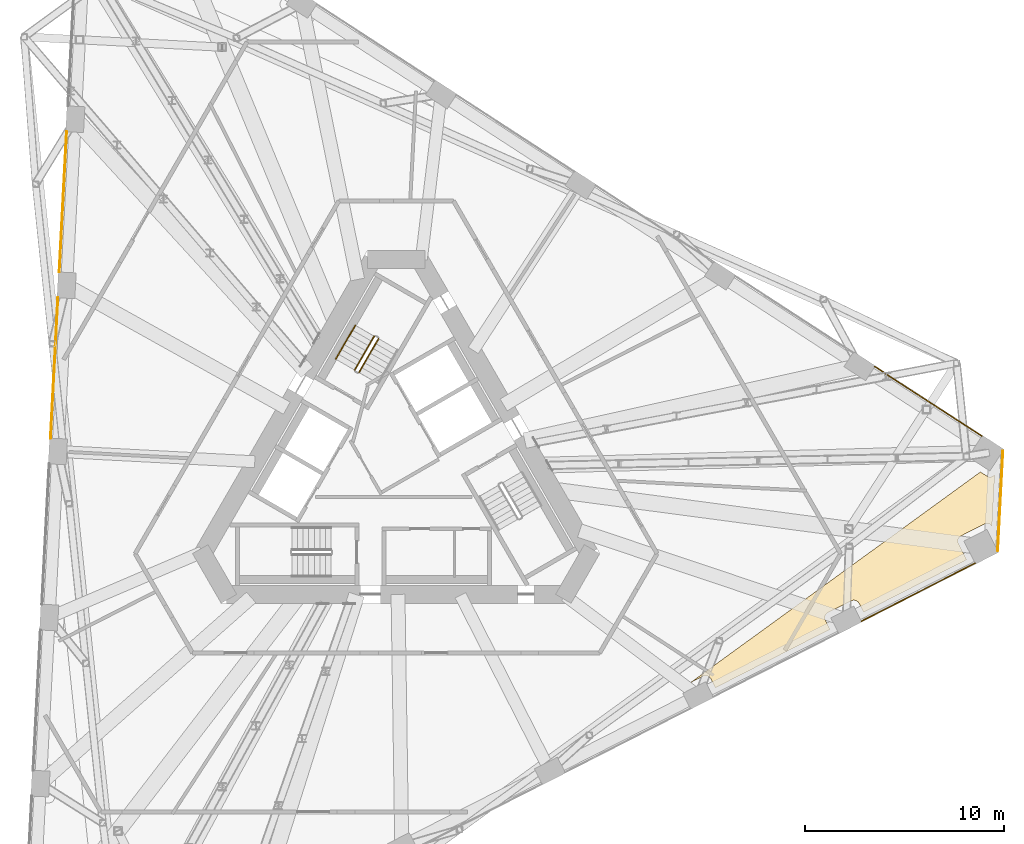
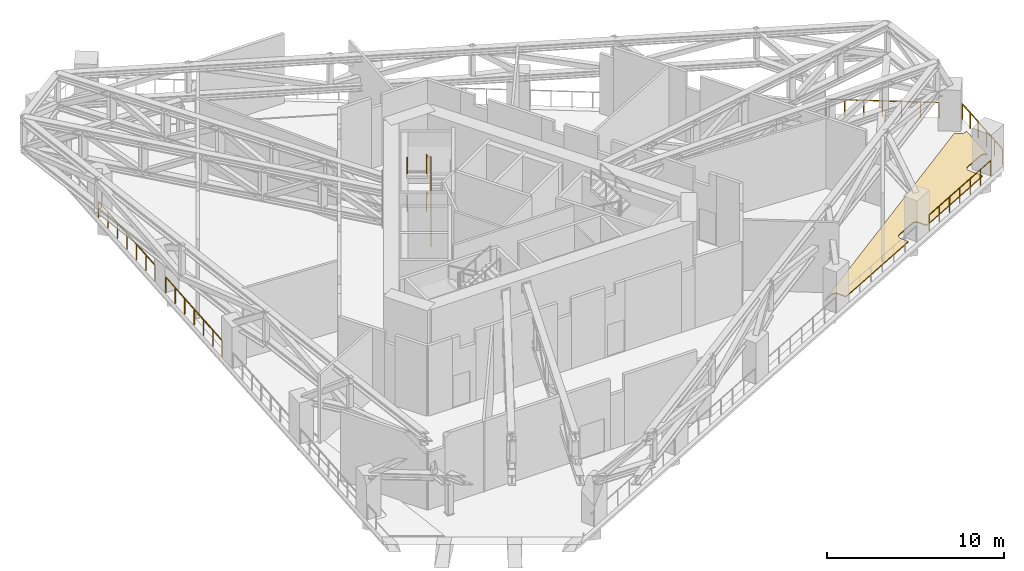
# One storey, part 24 of 26: 11 railings, 2 coverings.
"""IFC4 building model written with IfcOpenShell, lengths in metres."""

from ifc_helpers import new_model, si_unit, direction, frame, origin, origin_2d, place, context, subcontext, project, spatial, polyline, circle, outline, extrude, material, layer, layer_set, type_object, element, save


model = new_model("IFC4")

# Units and contexts
model_context = context("Model", 3, precision=1e-05, world=origin(), true_north=direction((0.0, 1.0)))
body_context = subcontext(model_context, "Body", "Model", "MODEL_VIEW")
ifc_project = project(units=[si_unit("LENGTHUNIT", "METRE"), si_unit("AREAUNIT", "SQUARE_METRE"), si_unit("VOLUMEUNIT", "CUBIC_METRE"), si_unit("PLANEANGLEUNIT", "RADIAN"), si_unit("MASSUNIT", "GRAM", prefix="KILO")], contexts=[model_context])

# Site, building, storey
site_placement = place(None, origin())
site = spatial("IfcSite", under=ifc_project, at=site_placement, CompositionType="ELEMENT")
building_placement = place(site_placement, origin())
building = spatial("IfcBuilding", under=site, at=building_placement, Name="Tramontana Tower", CompositionType="ELEMENT")
storey_placement = place(building_placement, frame((0.0, 0.0, 157.60009765625)))
storey = spatial("IfcBuildingStorey", under=building, at=storey_placement, Name="L36", CompositionType="ELEMENT", Elevation=157.60009765625)

# Railings
ifc_material_1 = material(Name="Stainless steel rail and posts", Category="steel")
railing_type_1 = type_object("IfcRailingType", Name="GD2 Terrace guard 1100", PredefinedType="GUARDRAIL", material=ifc_material_1)
for number, where, name in (
    (1, (-17.02197265625, 8.624267578125, 0.0), "Edge guard L36 5"),
    (2, (-16.583740234375, 16.984375, 0.0), "Edge guard L36 6"),
):
    element("IfcRailing", number, at=place(storey_placement, frame(where)), inside=storey, type_object=railing_type_1, Name=name, PredefinedType="GUARDRAIL", context=body_context, shape_type="SweptSolid", body=[
        extrude(circle(Radius=0.02392578125, at=origin_2d()), frame((0.0, 0.0, 1.076171875), z_axis=(-0.052337766399, -0.998629439887, 0.0), x_axis=(0.998629439887, -0.052337766399, 0.0)), (0.0, 0.0, 1.0), 7.07177734375),
        extrude(circle(Radius=0.02099609375, at=origin_2d()), origin(), (0.0, 0.0, 1.0), 1.052001953125),
        extrude(circle(Radius=0.02099609375, at=origin_2d()), frame((-0.061767578125, -1.177001953125, 0.0)), (0.0, 0.0, 1.0), 1.052001953125),
        extrude(circle(Radius=0.02099609375, at=origin_2d()), frame((-0.123291015625, -2.35400390625, 0.0)), (0.0, 0.0, 1.0), 1.052001953125),
        extrude(circle(Radius=0.02099609375, at=origin_2d()), frame((-0.18505859375, -3.531005859375, 0.0)), (0.0, 0.0, 1.0), 1.052001953125),
        extrude(circle(Radius=0.02099609375, at=origin_2d()), frame((-0.246826171875, -4.7080078125, 0.0)), (0.0, 0.0, 1.0), 1.052001953125),
        extrude(circle(Radius=0.02099609375, at=origin_2d()), frame((-0.308349609375, -5.885009765625, 0.0)), (0.0, 0.0, 1.0), 1.052001953125),
        extrude(circle(Radius=0.02099609375, at=origin_2d()), frame((-0.3701171875, -7.06201171875, 0.0)), (0.0, 0.0, 1.0), 1.052001953125),
    ])
railing_1_placement = place(storey_placement, frame((23.41943359375, -7.65185546875, 0.0)))
element("IfcRailing", 3, at=railing_1_placement, inside=storey, type_object=railing_type_1, Name="Edge guard L36 19", PredefinedType="GUARDRAIL", context=body_context, shape_type="SweptSolid", body=[
    extrude(circle(Radius=0.02392578125, at=origin_2d()), frame((0.0, 0.0, 1.076171875), z_axis=(0.89099481201, 0.454013485451, 0.0), x_axis=(-0.454013485451, 0.89099481201, 0.0)), (0.0, 0.0, 1.0), 6.421630859375),
    extrude(circle(Radius=0.02099609375, at=origin_2d()), origin(), (0.0, 0.0, 1.0), 1.052001953125),
    extrude(circle(Radius=0.02099609375, at=origin_2d()), frame((0.95361328125, 0.48583984375, 0.0)), (0.0, 0.0, 1.0), 1.052001953125),
    extrude(circle(Radius=0.02099609375, at=origin_2d()), frame((1.9072265625, 0.971923828125, 0.0)), (0.0, 0.0, 1.0), 1.052001953125),
    extrude(circle(Radius=0.02099609375, at=origin_2d()), frame((2.86083984375, 1.457763671875, 0.0)), (0.0, 0.0, 1.0), 1.052001953125),
    extrude(circle(Radius=0.02099609375, at=origin_2d()), frame((3.814453125, 1.943603515625, 0.0)), (0.0, 0.0, 1.0), 1.052001953125),
    extrude(circle(Radius=0.02099609375, at=origin_2d()), frame((4.76806640625, 2.4296875, 0.0)), (0.0, 0.0, 1.0), 1.052001953125),
    extrude(circle(Radius=0.02099609375, at=origin_2d()), frame((5.7216796875, 2.91552734375, 0.0)), (0.0, 0.0, 1.0), 1.052001953125),
])
railing_2_placement = place(storey_placement, frame((29.4765625, 1.664306640625, 0.0)))
element("IfcRailing", 4, at=railing_2_placement, inside=storey, type_object=railing_type_1, Name="Edge guard L36 20", PredefinedType="GUARDRAIL", context=body_context, shape_type="SweptSolid", body=[
    extrude(circle(Radius=0.02392578125, at=origin_2d()), frame((0.0, 0.0, 1.076171875), z_axis=(-0.83865810066, 0.54465823247, 0.0), x_axis=(-0.54465823247, -0.83865810066, 0.0)), (0.0, 0.0, 1.0), 6.421630859375),
    extrude(circle(Radius=0.02099609375, at=origin_2d()), origin(), (0.0, 0.0, 1.0), 1.052001953125),
    extrude(circle(Radius=0.02099609375, at=origin_2d()), frame((-0.8974609375, 0.5830078125, 0.0)), (0.0, 0.0, 1.0), 1.052001953125),
    extrude(circle(Radius=0.02099609375, at=origin_2d()), frame((-1.795166015625, 1.165771484375, 0.0)), (0.0, 0.0, 1.0), 1.052001953125),
    extrude(circle(Radius=0.02099609375, at=origin_2d()), frame((-2.69287109375, 1.748779296875, 0.0)), (0.0, 0.0, 1.0), 1.052001953125),
    extrude(circle(Radius=0.02099609375, at=origin_2d()), frame((-3.59033203125, 2.331787109375, 0.0)), (0.0, 0.0, 1.0), 1.052001953125),
    extrude(circle(Radius=0.02099609375, at=origin_2d()), frame((-4.48779296875, 2.91455078125, 0.0)), (0.0, 0.0, 1.0), 1.052001953125),
    extrude(circle(Radius=0.02099609375, at=origin_2d()), frame((-5.385498046875, 3.49755859375, 0.0)), (0.0, 0.0, 1.0), 1.052001953125),
])
railing_3_placement = place(storey_placement, frame((30.27685546875, -4.1015625, 0.0)))
element("IfcRailing", 5, at=railing_3_placement, inside=storey, type_object=railing_type_1, Name="Edge guard L36 21", PredefinedType="GUARDRAIL", context=body_context, shape_type="SweptSolid", body=[
    extrude(circle(Radius=0.02392578125, at=origin_2d()), frame((0.0, 0.0, 1.076171875), z_axis=(0.052349634305, 0.998628817824, 0.0), x_axis=(-0.998628817824, 0.052349634305, 0.0)), (0.0, 0.0, 1.0), 5.022705078125),
    extrude(circle(Radius=0.02099609375, at=origin_2d()), origin(), (0.0, 0.0, 1.0), 1.052001953125),
    extrude(circle(Radius=0.02099609375, at=origin_2d()), frame((0.052490234375, 1.003173828125, 0.0)), (0.0, 0.0, 1.0), 1.052001953125),
    extrude(circle(Radius=0.02099609375, at=origin_2d()), frame((0.105224609375, 2.00634765625, 0.0)), (0.0, 0.0, 1.0), 1.052001953125),
    extrude(circle(Radius=0.02099609375, at=origin_2d()), frame((0.15771484375, 3.009521484375, 0.0)), (0.0, 0.0, 1.0), 1.052001953125),
    extrude(circle(Radius=0.02099609375, at=origin_2d()), frame((0.21044921875, 4.0126953125, 0.0)), (0.0, 0.0, 1.0), 1.052001953125),
    extrude(circle(Radius=0.02099609375, at=origin_2d()), frame((0.262939453125, 5.015869140625, 0.0)), (0.0, 0.0, 1.0), 1.052001953125),
])

# Covering
ifc_material_2 = material(Name="Limestone paving 60", Category="masonry")
ifc_layer_1 = layer(ifc_material_2, 0.06005859375)
ifc_layer_set_1 = layer_set([ifc_layer_1], Name="PV1 Terrace paving 60")
covering_type_1 = type_object("IfcCoveringType", Name="PV1 Terrace paving 60", PredefinedType="FLOORING", material=ifc_layer_set_1)
covering_1_placement = place(storey_placement, frame((0.0, 0.0, 0.010009765625)))
element("IfcCovering", 6, at=covering_1_placement, inside=storey, type_object=covering_type_1, Name="Terrace paving L36 3", PredefinedType="FLOORING", context=body_context, shape_type="SweptSolid", body=[
    extrude(outline(polyline([(29.990234375, -2.880615234375), (29.984619140625, -2.87060546875), (29.967529296875, -2.8466796875), (29.9482421875, -2.824462890625), (29.9267578125, -2.804443359375), (29.903564453125, -2.786376953125), (29.878662109375, -2.770751953125), (29.852294921875, -2.757568359375), (29.82470703125, -2.7470703125), (29.79638671875, -2.739501953125), (29.767333984375, -2.734619140625), (29.738037109375, -2.732421875), (29.70849609375, -2.7333984375), (29.67919921875, -2.737060546875), (29.650634765625, -2.74365234375), (29.622802734375, -2.753173828125), (29.595947265625, -2.76513671875), (28.4375, -3.355224609375), (28.412109375, -3.369873046875), (28.387939453125, -3.386962890625), (28.36572265625, -3.406494140625), (28.345703125, -3.427734375), (28.32763671875, -3.451171875), (28.31201171875, -3.47607421875), (28.298828125, -3.50244140625), (28.288330078125, -3.530029296875), (28.28076171875, -3.558349609375), (28.27587890625, -3.58740234375), (28.273681640625, -3.61669921875), (28.274658203125, -3.646240234375), (28.2783203125, -3.67529296875), (28.284912109375, -3.7041015625), (28.29443359375, -3.73193359375), (28.306396484375, -3.7587890625), (28.715087890625, -4.560791015625), (23.528076171875, -7.20361328125), (23.301025390625, -6.75830078125), (23.286376953125, -6.732666015625), (23.269287109375, -6.708740234375), (23.25, -6.6865234375), (23.228515625, -6.666259765625), (23.205078125, -6.648193359375), (23.18017578125, -6.632568359375), (23.15380859375, -6.61962890625), (23.12646484375, -6.609130859375), (23.097900390625, -6.601318359375), (23.06884765625, -6.596435546875), (23.03955078125, -6.594482421875), (23.010009765625, -6.59521484375), (22.98095703125, -6.59912109375), (22.9521484375, -6.605712890625), (22.92431640625, -6.614990234375), (22.8974609375, -6.627197265625), (21.7392578125, -7.21728515625), (21.713623046875, -7.23193359375), (21.689697265625, -7.2490234375), (21.66748046875, -7.268310546875), (21.647216796875, -7.289794921875), (21.629150390625, -7.31298828125), (21.613525390625, -7.337890625), (21.6005859375, -7.3642578125), (21.590087890625, -7.391845703125), (21.582275390625, -7.420166015625), (21.577392578125, -7.44921875), (21.575439453125, -7.478759765625), (21.576171875, -7.508056640625), (21.580078125, -7.537353515625), (21.586669921875, -7.56591796875), (21.595947265625, -7.593994140625), (21.608154296875, -7.620849609375), (21.8349609375, -8.066162109375), (16.06884765625, -11.00439453125), (15.841796875, -10.558837890625), (15.8271484375, -10.533203125), (15.81005859375, -10.50927734375), (15.790771484375, -10.487060546875), (15.769287109375, -10.466796875), (15.74609375, -10.448974609375), (15.72119140625, -10.433349609375), (15.69482421875, -10.420166015625), (15.667236328125, -10.40966796875), (15.638916015625, -10.40185546875), (15.60986328125, -10.39697265625), (15.580322265625, -10.39501953125), (15.551025390625, -10.39599609375), (15.521728515625, -10.399658203125), (15.4931640625, -10.40625), (15.465087890625, -10.41552734375), (15.438232421875, -10.427734375), (14.808349609375, -10.748779296875), (29.40966796875, -0.14013671875), (29.72265625, -0.343505859375), (29.748291015625, -0.3583984375), (29.77490234375, -0.37060546875), (29.802734375, -0.380126953125), (29.83154296875, -0.386962890625), (29.860595703125, -0.390869140625), (29.89013671875, -0.39208984375), (29.91943359375, -0.39013671875), (29.948486328125, -0.385498046875), (29.97705078125, -0.3779296875), (30.004638671875, -0.36767578125), (30.031005859375, -0.354736328125), (30.05615234375, -0.33935546875), (30.07958984375, -0.3212890625), (30.10107421875, -0.30126953125), (30.12060546875, -0.279296875), (30.127197265625, -0.27001953125), (29.990234375, -2.880615234375)])), origin(), (0.0, 0.0, 1.0), 0.059814453125),
])

# Railings
ifc_material_3 = material(Name="Painted steel", Category="steel")
railing_type_2 = type_object("IfcRailingType", Name="STAIR GUARD 1100", PredefinedType="GUARDRAIL", material=ifc_material_3)
railing_4_placement = place(storey_placement, frame((-1.867431640625, 4.865478515625, 0.162353515625)))
element("IfcRailing", 7, at=railing_4_placement, inside=storey, type_object=railing_type_2, Name="L36 ST1 stair guard 1", PredefinedType="GUARDRAIL", context=body_context, shape_type="SweptSolid", body=[
    extrude(circle(Radius=0.02392578125, at=origin_2d()), frame((0.0, 0.0, 1.076171875), z_axis=(0.432431929651, 0.749053115811, 0.501918375746), x_axis=(-0.866042469362, 0.499970440388, 0.0)), (0.0, 0.0, 1.0), 2.26611328125),
    extrude(circle(Radius=0.02099609375, at=origin_2d()), origin(), (0.0, 0.0, 1.0), 1.052001953125),
    extrude(circle(Radius=0.02099609375, at=origin_2d()), frame((0.489990234375, 0.8486328125, 0.56884765625)), (0.0, 0.0, 1.0), 1.052001953125),
    extrude(circle(Radius=0.02099609375, at=origin_2d()), frame((0.97998046875, 1.697509765625, 1.137451171875)), (0.0, 0.0, 1.0), 1.052001953125),
])
railing_5_placement = place(storey_placement, frame((-1.10400390625, 6.68798828125, 1.46240234375)))
element("IfcRailing", 8, at=railing_5_placement, inside=storey, type_object=railing_type_2, Name="L36 ST1 stair guard 2", PredefinedType="GUARDRAIL", context=body_context, shape_type="SweptSolid", body=[
    extrude(circle(Radius=0.02392578125, at=origin_2d()), frame((0.0, 0.0, 1.076171875), z_axis=(-0.432431929651, -0.749053115811, 0.501918375746), x_axis=(0.866042469362, -0.499970440388, 0.0)), (0.0, 0.0, 1.0), 2.26611328125),
    extrude(circle(Radius=0.02099609375, at=origin_2d()), origin(), (0.0, 0.0, 1.0), 1.052001953125),
    extrude(circle(Radius=0.02099609375, at=origin_2d()), frame((-0.489990234375, -0.8486328125, 0.56884765625)), (0.0, 0.0, 1.0), 1.052001953125),
    extrude(circle(Radius=0.02099609375, at=origin_2d()), frame((-0.97998046875, -1.697509765625, 1.137451171875)), (0.0, 0.0, 1.0), 1.052001953125),
])
railing_6_placement = place(storey_placement, frame((-1.867431640625, 4.865478515625, 2.762451171875)))
element("IfcRailing", 9, at=railing_6_placement, inside=storey, type_object=railing_type_2, Name="L36 ST1 stair guard 3", PredefinedType="GUARDRAIL", context=body_context, shape_type="SweptSolid", body=[
    extrude(circle(Radius=0.02392578125, at=origin_2d()), frame((0.0, 0.0, 1.076171875), z_axis=(0.432431929651, 0.749053115811, 0.501918375746), x_axis=(-0.866042469362, 0.499970440388, 0.0)), (0.0, 0.0, 1.0), 2.26611328125),
    extrude(circle(Radius=0.02099609375, at=origin_2d()), origin(), (0.0, 0.0, 1.0), 1.052001953125),
    extrude(circle(Radius=0.02099609375, at=origin_2d()), frame((0.489990234375, 0.8486328125, 0.56884765625)), (0.0, 0.0, 1.0), 1.052001953125),
    extrude(circle(Radius=0.02099609375, at=origin_2d()), frame((0.97998046875, 1.697509765625, 1.137451171875)), (0.0, 0.0, 1.0), 1.052001953125),
])
railing_7_placement = place(storey_placement, frame((-1.10400390625, 6.68798828125, 4.0625)))
element("IfcRailing", 10, at=railing_7_placement, inside=storey, type_object=railing_type_2, Name="L36 ST1 stair guard 4", PredefinedType="GUARDRAIL", context=body_context, shape_type="SweptSolid", body=[
    extrude(circle(Radius=0.02392578125, at=origin_2d()), frame((0.0, 0.0, 1.076171875), z_axis=(-0.432431929651, -0.749053115811, 0.501918375746), x_axis=(0.866042469362, -0.499970440388, 0.0)), (0.0, 0.0, 1.0), 2.26611328125),
    extrude(circle(Radius=0.02099609375, at=origin_2d()), origin(), (0.0, 0.0, 1.0), 1.052001953125),
    extrude(circle(Radius=0.02099609375, at=origin_2d()), frame((-0.489990234375, -0.8486328125, 0.56884765625)), (0.0, 0.0, 1.0), 1.052001953125),
    extrude(circle(Radius=0.02099609375, at=origin_2d()), frame((-0.97998046875, -1.697509765625, 1.137451171875)), (0.0, 0.0, 1.0), 1.052001953125),
])
ifc_material_4 = material(Name="Painted steel", Category="steel")
railing_type_3 = type_object("IfcRailingType", Name="STAIR HANDRAIL 900", PredefinedType="HANDRAIL", material=ifc_material_4)
for number, where, name in (
    (11, (-2.056640625, 7.238037109375, 1.46240234375), "L36 ST1 stair handrail 2"),
    (12, (-2.056640625, 7.238037109375, 4.0625), "L36 ST1 stair handrail 4"),
):
    element("IfcRailing", number, at=place(storey_placement, frame(where)), inside=storey, type_object=railing_type_3, Name=name, PredefinedType="HANDRAIL", context=body_context, shape_type="SweptSolid", body=[
        extrude(circle(Radius=0.02392578125, at=origin_2d()), frame((0.0, 0.0, 0.8759765625), z_axis=(-0.432431929651, -0.749053115811, 0.501918375746), x_axis=(0.866042469362, -0.499970440388, 0.0)), (0.0, 0.0, 1.0), 2.26611328125),
        extrude(circle(Radius=0.02099609375, at=origin_2d()), origin(), (0.0, 0.0, 1.0), 0.851806640625),
        extrude(circle(Radius=0.02099609375, at=origin_2d()), frame((-0.489990234375, -0.8486328125, 0.56884765625)), (0.0, 0.0, 1.0), 0.851806640625),
        extrude(circle(Radius=0.02099609375, at=origin_2d()), frame((-0.97998046875, -1.697509765625, 1.137451171875)), (0.0, 0.0, 1.0), 0.851806640625),
    ])

# Covering
ifc_material_5 = material(Name="Bituminous waterproofing membrane")
ifc_layer_2 = layer(ifc_material_5, 0.010009765625)
ifc_layer_set_2 = layer_set([ifc_layer_2], Name="WP1 Terrace waterproofing membrane 10")
covering_type_2 = type_object("IfcCoveringType", Name="WP1 Terrace waterproofing membrane 10", PredefinedType="MEMBRANE", material=ifc_layer_set_2)
covering_2_placement = place(storey_placement, origin())
element("IfcCovering", 13, at=covering_2_placement, inside=storey, type_object=covering_type_2, Name="Terrace membrane L36 3", PredefinedType="MEMBRANE", context=body_context, shape_type="SweptSolid", body=[
    extrude(outline(polyline([(29.990234375, -2.880615234375), (29.984619140625, -2.87060546875), (29.967529296875, -2.8466796875), (29.9482421875, -2.824462890625), (29.9267578125, -2.804443359375), (29.903564453125, -2.786376953125), (29.878662109375, -2.770751953125), (29.852294921875, -2.757568359375), (29.82470703125, -2.7470703125), (29.79638671875, -2.739501953125), (29.767333984375, -2.734619140625), (29.738037109375, -2.732421875), (29.70849609375, -2.7333984375), (29.67919921875, -2.737060546875), (29.650634765625, -2.74365234375), (29.622802734375, -2.753173828125), (29.595947265625, -2.76513671875), (28.4375, -3.355224609375), (28.412109375, -3.369873046875), (28.387939453125, -3.386962890625), (28.36572265625, -3.406494140625), (28.345703125, -3.427734375), (28.32763671875, -3.451171875), (28.31201171875, -3.47607421875), (28.298828125, -3.50244140625), (28.288330078125, -3.530029296875), (28.28076171875, -3.558349609375), (28.27587890625, -3.58740234375), (28.273681640625, -3.61669921875), (28.274658203125, -3.646240234375), (28.2783203125, -3.67529296875), (28.284912109375, -3.7041015625), (28.29443359375, -3.73193359375), (28.306396484375, -3.7587890625), (28.715087890625, -4.560791015625), (23.528076171875, -7.20361328125), (23.301025390625, -6.75830078125), (23.286376953125, -6.732666015625), (23.269287109375, -6.708740234375), (23.25, -6.6865234375), (23.228515625, -6.666259765625), (23.205078125, -6.648193359375), (23.18017578125, -6.632568359375), (23.15380859375, -6.61962890625), (23.12646484375, -6.609130859375), (23.097900390625, -6.601318359375), (23.06884765625, -6.596435546875), (23.03955078125, -6.594482421875), (23.010009765625, -6.59521484375), (22.98095703125, -6.59912109375), (22.9521484375, -6.605712890625), (22.92431640625, -6.614990234375), (22.8974609375, -6.627197265625), (21.7392578125, -7.21728515625), (21.713623046875, -7.23193359375), (21.689697265625, -7.2490234375), (21.66748046875, -7.268310546875), (21.647216796875, -7.289794921875), (21.629150390625, -7.31298828125), (21.613525390625, -7.337890625), (21.6005859375, -7.3642578125), (21.590087890625, -7.391845703125), (21.582275390625, -7.420166015625), (21.577392578125, -7.44921875), (21.575439453125, -7.478759765625), (21.576171875, -7.508056640625), (21.580078125, -7.537353515625), (21.586669921875, -7.56591796875), (21.595947265625, -7.593994140625), (21.608154296875, -7.620849609375), (21.8349609375, -8.066162109375), (16.06884765625, -11.00439453125), (15.841796875, -10.558837890625), (15.8271484375, -10.533203125), (15.81005859375, -10.50927734375), (15.790771484375, -10.487060546875), (15.769287109375, -10.466796875), (15.74609375, -10.448974609375), (15.72119140625, -10.433349609375), (15.69482421875, -10.420166015625), (15.667236328125, -10.40966796875), (15.638916015625, -10.40185546875), (15.60986328125, -10.39697265625), (15.580322265625, -10.39501953125), (15.551025390625, -10.39599609375), (15.521728515625, -10.399658203125), (15.4931640625, -10.40625), (15.465087890625, -10.41552734375), (15.438232421875, -10.427734375), (14.808349609375, -10.748779296875), (29.40966796875, -0.14013671875), (29.72265625, -0.343505859375), (29.748291015625, -0.3583984375), (29.77490234375, -0.37060546875), (29.802734375, -0.380126953125), (29.83154296875, -0.386962890625), (29.860595703125, -0.390869140625), (29.89013671875, -0.39208984375), (29.91943359375, -0.39013671875), (29.948486328125, -0.385498046875), (29.97705078125, -0.3779296875), (30.004638671875, -0.36767578125), (30.031005859375, -0.354736328125), (30.05615234375, -0.33935546875), (30.07958984375, -0.3212890625), (30.10107421875, -0.30126953125), (30.12060546875, -0.279296875), (30.127197265625, -0.27001953125), (29.990234375, -2.880615234375)])), origin(), (0.0, 0.0, 1.0), 0.010009765625),
])

save(model, "model.ifc")
